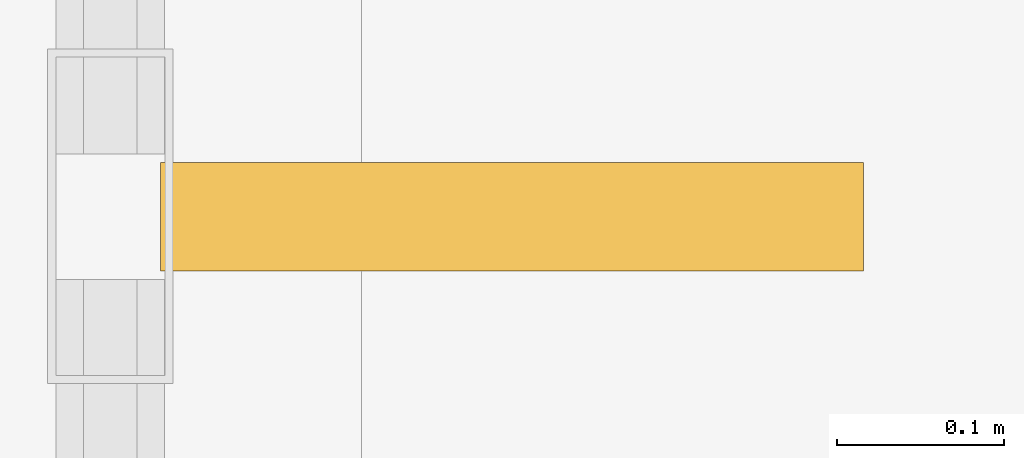
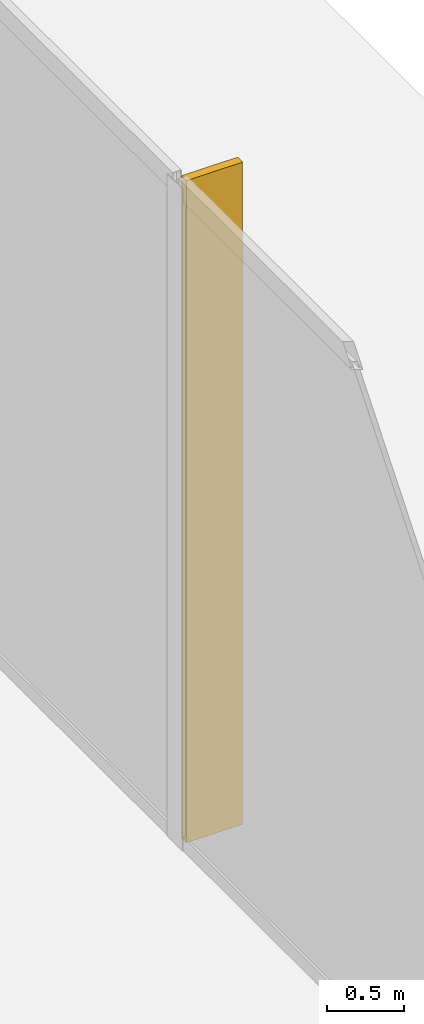
# One storey, part 37 of 38: 1 shading device.
"""IFC4 building model written with IfcOpenShell, lengths in metres."""

from ifc_helpers import new_model, si_unit, direction, frame, origin, origin_2d, place, context, subcontext, project, spatial, rectangle, extrude, material, layer, layer_set, type_object, element, save


model = new_model("IFC4")

# Units and contexts
model_context = context("Model", 3, precision=1e-05, world=origin(), true_north=direction((0.0, 1.0)))
body_context = subcontext(model_context, "Body", "Model", "MODEL_VIEW")
ifc_project = project(units=[si_unit("LENGTHUNIT", "METRE"), si_unit("AREAUNIT", "SQUARE_METRE"), si_unit("VOLUMEUNIT", "CUBIC_METRE"), si_unit("PLANEANGLEUNIT", "RADIAN"), si_unit("MASSUNIT", "GRAM", prefix="KILO")], contexts=[model_context])

# Site, building, storey
site_placement = place(None, origin())
site = spatial("IfcSite", under=ifc_project, at=site_placement, CompositionType="ELEMENT")
building_placement = place(site_placement, origin())
building = spatial("IfcBuilding", under=site, at=building_placement, Name="Orvanel Arch Residences", CompositionType="ELEMENT")
storey_placement = place(building_placement, origin())
storey = spatial("IfcBuildingStorey", under=building, at=storey_placement, Name="L00", CompositionType="ELEMENT", Elevation=0.0)

# Shading device
ifc_material = material(Name="Bronze-anodised aluminium AA6063-T6", Category="aluminium")
ifc_layer = layer(ifc_material, 0.06494140625)
ifc_layer_set = layer_set([ifc_layer], Name="Bronze-anodised aluminium AA6063-T6")
shading_device_type = type_object("IfcShadingDeviceType", Name="FIN-BRZ-420", PredefinedType="USERDEFINED", material=ifc_layer_set)
shading_device_placement = place(storey_placement, frame((64.68994140625, 46.76611328125, 0.0), z_axis=(0.0, 0.0, 1.0), x_axis=(1.0, 0.0, 0.0)))
element("IfcShadingDevice", 1, at=shading_device_placement, inside=storey, type_object=shading_device_type, Name="L00 Anodised Bronze Mullion FIN 07", ObjectType="FIN", PredefinedType="USERDEFINED", context=body_context, shape_type="SweptSolid", body=[
    extrude(rectangle(XDim=0.419921875, YDim=0.06494140625, at=origin_2d()), origin(), (0.0, 0.0, 1.0), 5.219970703125),
])

save(model, "model.ifc")
